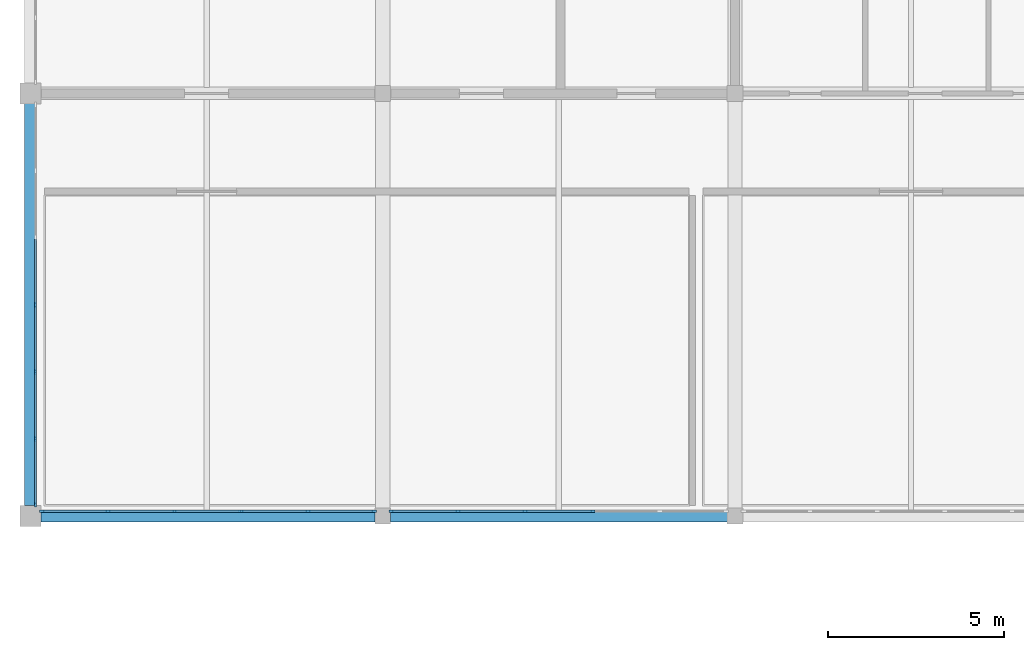
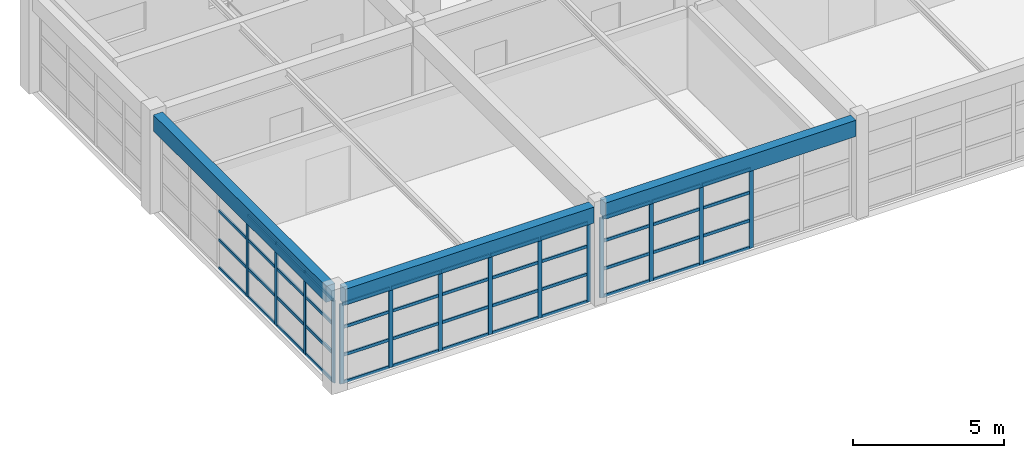
# One storey, part 3 of 16: 61 members, 3 beams, 3 elements without a shape of their own.
"""IFC4 building model written with IfcOpenShell, lengths in metres."""

import ifcopenshell
import ifcopenshell.guid

model = None  # the IFC model being written
_history = None  # IfcOwnerHistory: only IFC2X3 demands one
_inside = {}  # id of a spatial element -> (the spatial element, [elements in it])
_under = {}  # id of a project, library or spatial element -> (it, [spatial elements below it])
_declared = {}  # id of a project -> (the project, [libraries it declares])
_typed = {}  # id of a type object -> (the type object, [elements of that type])
_made_of = {}  # id of a material, layer set ... -> (it, [elements and type objects made of it])


def new_model(schema):
    """Start an empty IFC model of exactly this schema.

    Asked for "IFC4X3", IfcOpenShell would pick the latest addendum, in which some entities
    have other attributes; the version numbers below select the first issue.
    IFC2X3 requires an IfcOwnerHistory on every rooted entity: one is made here for all.
    """
    global model, _history
    if schema == "IFC4X3":
        model = ifcopenshell.file(schema_version=(4, 3, 0, 0))
    else:
        model = ifcopenshell.file(schema=schema)
    _inside.clear()
    _under.clear()
    _declared.clear()
    _typed.clear()
    _made_of.clear()
    _history = None
    if model.schema == "IFC2X3":
        org = make("IfcOrganization", Name="unknown")
        user = make(
            "IfcPersonAndOrganization",
            ThePerson=make("IfcPerson", FamilyName="unknown"),
            TheOrganization=org,
        )
        app = make(
            "IfcApplication",
            ApplicationDeveloper=org,
            Version="unknown",
            ApplicationFullName="unknown",
            ApplicationIdentifier="unknown",
        )
        _history = make(
            "IfcOwnerHistory",
            OwningUser=user,
            OwningApplication=app,
            ChangeAction="ADDED",
            CreationDate=0,
        )
    return model


def make(cls, **values):
    """One entity of the class cls with the attributes given. An attribute that is None is left unset."""
    return model.create_entity(
        cls, **{name: value for name, value in values.items() if value is not None}
    )


def rooted(cls, **values):
    """An entity with a GlobalId (a new one), such as an element, a storey or a relation."""
    return make(cls, GlobalId=ifcopenshell.guid.new(), OwnerHistory=_history, **values)


def si_unit(unit_type, name, prefix=None):
    """IfcSIUnit, for example si_unit("LENGTHUNIT", "METRE", prefix="MILLI")."""
    return make("IfcSIUnit", UnitType=unit_type, Prefix=prefix, Name=name)


def assignment(units):
    """IfcUnitAssignment: the units of a project."""
    return None if units is None else make("IfcUnitAssignment", Units=units)


def point(xyz):
    """IfcCartesianPoint."""
    return None if xyz is None else make("IfcCartesianPoint", Coordinates=xyz)


def direction(xyz):
    """IfcDirection."""
    return None if xyz is None else make("IfcDirection", DirectionRatios=xyz)


def frame(location, z_axis=None, x_axis=None):
    """IfcAxis2Placement3D, a coordinate frame: its origin and axes. An axis left out is left unset."""
    return make(
        "IfcAxis2Placement3D",
        Location=point(location),
        Axis=direction(z_axis),
        RefDirection=direction(x_axis),
    )


def frame_2d(location, x_axis=None):
    """IfcAxis2Placement2D, a coordinate frame in the plane: its origin and x axis."""
    return make(
        "IfcAxis2Placement2D", Location=point(location), RefDirection=direction(x_axis)
    )


def origin():
    """The frame at (0, 0, 0) with its axes left unset."""
    return frame((0.0, 0.0, 0.0))


def origin_2d():
    """The frame at (0, 0) in the plane with its x axis left unset."""
    return frame_2d((0.0, 0.0))


def place(relative_to, where):
    """IfcLocalPlacement: puts the frame where relative to a parent placement (None: the world)."""
    return make(
        "IfcLocalPlacement", PlacementRelTo=relative_to, RelativePlacement=where
    )


def context(
    kind, dimensions, precision=None, world=None, true_north=None, identifier=None
):
    """IfcGeometricRepresentationContext, for example the 3D "Model" context."""
    return make(
        "IfcGeometricRepresentationContext",
        ContextIdentifier=identifier,
        ContextType=kind,
        CoordinateSpaceDimension=dimensions,
        Precision=precision,
        WorldCoordinateSystem=world,
        TrueNorth=true_north,
    )


def subcontext(parent, identifier, kind, view, scale=None):
    """IfcGeometricRepresentationSubContext, for example "Body" below "Model"."""
    return make(
        "IfcGeometricRepresentationSubContext",
        ContextIdentifier=identifier,
        ContextType=kind,
        ParentContext=parent,
        TargetScale=scale,
        TargetView=view,
    )


def project(units=None, contexts=None):
    """IfcProject with its units and contexts."""
    return rooted(
        "IfcProject",
        Name="project",
        RepresentationContexts=contexts,
        UnitsInContext=assignment(units),
    )


def spatial(cls, under=None, at=None, **own):
    """A site, building, storey or space (cls), placed at a placement, below another one or the project."""
    s = rooted(cls, ObjectPlacement=at, **own)
    if under is not None:
        _under.setdefault(under.id(), (under, []))[1].append(s)
    return s


def profile(cls, at=None, kind="AREA", **sizes):
    """A parametric profile (cls). Its sizes go by their IFC names, for example OverallWidth=200.0."""
    return make(cls, ProfileType=kind, Position=at, **sizes)


def rectangle(**sizes):
    """IfcRectangleProfileDef."""
    return profile("IfcRectangleProfileDef", **sizes)


def extrude(swept, where, along, depth):
    """IfcExtrudedAreaSolid: the profile swept, set in the frame where, extruded along a direction by depth."""
    return make(
        "IfcExtrudedAreaSolid",
        SweptArea=swept,
        Position=where,
        ExtrudedDirection=direction(along),
        Depth=depth,
    )


def shape(context_of_items, identifier, shape_type, items):
    """IfcShapeRepresentation: the items that make up one representation, for example the "Body"."""
    return make(
        "IfcShapeRepresentation",
        ContextOfItems=context_of_items,
        RepresentationIdentifier=identifier,
        RepresentationType=shape_type,
        Items=items,
    )


def material(Name=None, Category=None):
    """IfcMaterial."""
    return make("IfcMaterial", Name=Name, Category=Category)


def layer(
    of_material, thickness, ventilated=None, Name=None, Category=None, Priority=None
):
    """IfcMaterialLayer: one layer of a wall or slab, of a material (None: an air gap)."""
    return make(
        "IfcMaterialLayer",
        Material=of_material,
        LayerThickness=thickness,
        IsVentilated=ventilated,
        Name=Name,
        Category=Category,
        Priority=Priority,
    )


def layer_set(layers, Name=None):
    """IfcMaterialLayerSet."""
    return make("IfcMaterialLayerSet", MaterialLayers=layers, LayerSetName=Name)


def material_profile(
    of_material, cross_section, Name=None, Category=None, Priority=None
):
    """IfcMaterialProfile: a cross section and its material."""
    return make(
        "IfcMaterialProfile",
        Name=Name,
        Material=of_material,
        Profile=cross_section,
        Priority=Priority,
        Category=Category,
    )


def profile_set(profiles, Name=None, composite=None):
    """IfcMaterialProfileSet."""
    return make(
        "IfcMaterialProfileSet",
        Name=Name,
        MaterialProfiles=profiles,
        CompositeProfile=composite,
    )


def made_of(thing, what):
    """Note that an element or type object is made of a material, layer set ...; save() writes the relation."""
    if what is not None:
        _made_of.setdefault(what.id(), (what, []))[1].append(thing)
    return thing


def type_object(cls, material=None, **own):
    """A type object (cls), such as IfcWallType, which elements share."""
    return made_of(rooted(cls, **own), material)


def element(
    cls,
    number,
    at=None,
    inside=None,
    cuts=None,
    type_object=None,
    material=None,
    context=None,
    identifier="Body",
    shape_type=None,
    held_by="IfcProductDefinitionShape",
    body=None,
    shapes=None,
    **own,
):
    """One element of the class cls, such as IfcWall. Its Tag is "e" and its number.

    at: its placement. inside: the storey or other place that contains it. cuts: it is an
    opening in that element (IfcRelVoidsElement). A single representation is given by context,
    identifier, shape_type and body (its items); several are given by shapes. held_by: the class
    of the entity that holds the representations. save() writes the other relations.
    """
    e = rooted(cls, Tag="e%d" % number, ObjectPlacement=at, **own)
    if body is not None:
        shapes = [shape(context, identifier, shape_type, body)]
    if shapes is not None:
        e.Representation = make(held_by, Representations=shapes)
    if inside is not None:
        _inside.setdefault(inside.id(), (inside, []))[1].append(e)
    if cuts is not None:
        rooted(
            "IfcRelVoidsElement", RelatingBuildingElement=cuts, RelatedOpeningElement=e
        )
    if type_object is not None:
        _typed.setdefault(type_object.id(), (type_object, []))[1].append(e)
    return made_of(e, material)


def aggregate(whole, parts):
    """IfcRelAggregates: a whole, such as a stair, and the parts it consists of."""
    return rooted("IfcRelAggregates", RelatingObject=whole, RelatedObjects=parts)


def save(model, path):
    """Write the relations noted so far, then the file.

    IfcRelAggregates (storeys below a building ...), IfcRelContainedInSpatialStructure (elements
    in a storey), IfcRelDefinesByType, IfcRelAssociatesMaterial and IfcRelDeclares: one each for
    every whole, place, type object, material and project.
    """
    for whole, parts in _under.values():
        aggregate(whole, parts)
    for where, things in _inside.values():
        rooted(
            "IfcRelContainedInSpatialStructure",
            RelatedElements=things,
            RelatingStructure=where,
        )
    for kind, things in _typed.values():
        rooted("IfcRelDefinesByType", RelatedObjects=things, RelatingType=kind)
    for what, things in _made_of.values():
        rooted("IfcRelAssociatesMaterial", RelatedObjects=things, RelatingMaterial=what)
    for by, libraries in _declared.values():
        rooted("IfcRelDeclares", RelatingContext=by, RelatedDefinitions=libraries)
    model.write(path)


model = new_model("IFC4")

# Units and contexts
model_context = context("Model", 3, precision=1e-05, world=origin(), true_north=direction((0.0, 1.0)))
body_context = subcontext(model_context, "Body", "Model", "MODEL_VIEW")
ifc_project = project(units=[si_unit("LENGTHUNIT", "METRE"), si_unit("AREAUNIT", "SQUARE_METRE"), si_unit("VOLUMEUNIT", "CUBIC_METRE"), si_unit("PLANEANGLEUNIT", "RADIAN"), si_unit("MASSUNIT", "GRAM", prefix="KILO")], contexts=[model_context])

# Site, building, storey
site_placement = place(None, origin())
site = spatial("IfcSite", under=ifc_project, at=site_placement, CompositionType="ELEMENT")
building_placement = place(site_placement, origin())
building = spatial("IfcBuilding", under=site, at=building_placement, Name="Kivolera Central Railway Station", CompositionType="ELEMENT")
storey_placement = place(building_placement, frame((0.0, 0.0, 27.0)))
storey = spatial("IfcBuildingStorey", under=building, at=storey_placement, Name="L06", CompositionType="ELEMENT", Elevation=27.0)

# Beams
ifc_material_1 = material(Name="Concrete C40/50", Category="concrete")
ifc_material_profile_1 = material_profile(ifc_material_1, rectangle(XDim=0.35009765625, YDim=0.64990234375, at=origin_2d()), Name="RC 350x650")
ifc_profile_set_1 = profile_set([ifc_material_profile_1], Name="Concrete C40/50")
beam_type_1 = type_object("IfcBeamType", Name="BM-RC-350x650", PredefinedType="BEAM", material=ifc_profile_set_1)
beam_1_placement = place(storey_placement, frame((118.2919921875, 114.0, 3.655029296875), z_axis=(1.0, 0.0, 0.0), x_axis=(0.0, 1.0, 0.0)))
element("IfcBeam", 1, at=beam_1_placement, inside=storey, type_object=beam_type_1, Name="L06 Wing X-Beam K:12-13", PredefinedType="BEAM", context=body_context, shape_type="SweptSolid", body=[
    extrude(rectangle(XDim=0.35009765625, YDim=0.64990234375, at=origin_2d()), origin(), (0.0, 0.0, 1.0), 9.490966796875),
])
beam_2_placement = place(storey_placement, frame((128.217041015625, 114.0, 3.655029296875), z_axis=(1.0, 0.0, 0.0), x_axis=(0.0, 1.0, 0.0)))
element("IfcBeam", 2, at=beam_2_placement, inside=storey, type_object=beam_type_1, Name="L06 Wing X-Beam K:13-14", PredefinedType="BEAM", context=body_context, shape_type="SweptSolid", body=[
    extrude(rectangle(XDim=0.35009765625, YDim=0.64990234375, at=origin_2d()), origin(), (0.0, 0.0, 1.0), 9.56591796875),
])
ifc_material_profile_2 = material_profile(ifc_material_1, rectangle(XDim=0.35009765625, YDim=0.64990234375, at=origin_2d()), Name="RC 350x650")
ifc_profile_set_2 = profile_set([ifc_material_profile_2], Name="Concrete C40/50")
beam_type_2 = type_object("IfcBeamType", Name="BM-SPN-RC650", PredefinedType="SPANDREL", material=ifc_profile_set_2)
beam_3_placement = place(storey_placement, frame((118.0, 114.2919921875, 3.655029296875), z_axis=(0.0, 1.0, 0.0), x_axis=(-1.0, 0.0, 0.0)))
element("IfcBeam", 3, at=beam_3_placement, inside=storey, type_object=beam_type_2, Name="L06 Wing Y-Beam 12:K-L", PredefinedType="SPANDREL", context=body_context, shape_type="SweptSolid", body=[
    extrude(rectangle(XDim=0.35009765625, YDim=0.64990234375, at=origin_2d()), origin(), (0.0, 0.0, 1.0), 11.416015625),
])

# Curtain wall, members
ifc_material_2 = material(Name="Anodised aluminium", Category="aluminium")
ifc_layer_1 = layer(ifc_material_2, 0.179931640625, Name="Anodised aluminium")
ifc_layer_set_1 = layer_set([ifc_layer_1], Name="Anodised aluminium")
curtain_wall_type_1 = type_object("IfcCurtainWallType", Name="CW-SYS-37", PredefinedType="NOTDEFINED", material=ifc_layer_set_1)
curtain_wall_1_placement = place(storey_placement, origin())
curtain_wall_1 = element("IfcCurtainWall", 4, at=curtain_wall_1_placement, inside=storey, type_object=curtain_wall_type_1, Name="L06 Curtain Wall CW-L06-SOUTH-1", PredefinedType="NOTDEFINED")
ifc_material_profile_3 = material_profile(ifc_material_2, rectangle(XDim=0.06005859375, YDim=0.14990234375, at=origin_2d()), Name="ALU MULL 60x150")
ifc_profile_set_3 = profile_set([ifc_material_profile_3], Name="Anodised aluminium")
member_type_1 = type_object("IfcMemberType", Name="CWM-MUL-2", PredefinedType="MULLION", material=ifc_profile_set_3)
member_1_placement = place(storey_placement, frame((127.75, 114.135009765625, -0.0048828125), z_axis=(0.0, 0.0, 1.0), x_axis=(0.0, -1.0, 0.0)))
member_1 = element("IfcMember", 5, at=member_1_placement, type_object=member_type_1, Name="CW-37 mullion 1", PredefinedType="MULLION", context=body_context, shape_type="SweptSolid", body=[
    extrude(rectangle(XDim=0.06005859375, YDim=0.14990234375, at=origin_2d()), origin(), (0.0, 0.0, 1.0), 3.222900390625),
])
member_2_placement = place(storey_placement, frame((125.883056640625, 114.135009765625, -0.0048828125), z_axis=(0.0, 0.0, 1.0), x_axis=(0.0, -1.0, 0.0)))
member_2 = element("IfcMember", 6, at=member_2_placement, type_object=member_type_1, Name="CW-37 mullion 2", PredefinedType="MULLION", context=body_context, shape_type="SweptSolid", body=[
    extrude(rectangle(XDim=0.06005859375, YDim=0.14990234375, at=origin_2d()), origin(), (0.0, 0.0, 1.0), 3.222900390625),
])
member_3_placement = place(storey_placement, frame((123.986083984375, 114.135009765625, -0.0048828125), z_axis=(0.0, 0.0, 1.0), x_axis=(0.0, -1.0, 0.0)))
member_3 = element("IfcMember", 7, at=member_3_placement, type_object=member_type_1, Name="CW-37 mullion 3", PredefinedType="MULLION", context=body_context, shape_type="SweptSolid", body=[
    extrude(rectangle(XDim=0.06005859375, YDim=0.14990234375, at=origin_2d()), origin(), (0.0, 0.0, 1.0), 3.222900390625),
])
member_4_placement = place(storey_placement, frame((122.089111328125, 114.135009765625, -0.0048828125), z_axis=(0.0, 0.0, 1.0), x_axis=(0.0, -1.0, 0.0)))
member_4 = element("IfcMember", 8, at=member_4_placement, type_object=member_type_1, Name="CW-37 mullion 4", PredefinedType="MULLION", context=body_context, shape_type="SweptSolid", body=[
    extrude(rectangle(XDim=0.06005859375, YDim=0.14990234375, at=origin_2d()), origin(), (0.0, 0.0, 1.0), 3.222900390625),
])
member_5_placement = place(storey_placement, frame((120.19189453125, 114.135009765625, -0.0048828125), z_axis=(0.0, 0.0, 1.0), x_axis=(0.0, -1.0, 0.0)))
member_5 = element("IfcMember", 9, at=member_5_placement, type_object=member_type_1, Name="CW-37 mullion 5", PredefinedType="MULLION", context=body_context, shape_type="SweptSolid", body=[
    extrude(rectangle(XDim=0.06005859375, YDim=0.14990234375, at=origin_2d()), origin(), (0.0, 0.0, 1.0), 3.222900390625),
])
member_6_placement = place(storey_placement, frame((118.324951171875, 114.135009765625, -0.0048828125), z_axis=(0.0, 0.0, 1.0), x_axis=(0.0, -1.0, 0.0)))
member_6 = element("IfcMember", 10, at=member_6_placement, type_object=member_type_1, Name="CW-37 mullion 6", PredefinedType="MULLION", context=body_context, shape_type="SweptSolid", body=[
    extrude(rectangle(XDim=0.06005859375, YDim=0.14990234375, at=origin_2d()), origin(), (0.0, 0.0, 1.0), 3.222900390625),
])

ifc_layer_2 = layer(ifc_material_2, 0.179931640625, Name="Anodised aluminium")
ifc_layer_set_2 = layer_set([ifc_layer_2], Name="Anodised aluminium")
curtain_wall_type_2 = type_object("IfcCurtainWallType", Name="CW-SYS-34", PredefinedType="NOTDEFINED", material=ifc_layer_set_2)
curtain_wall_2_placement = place(storey_placement, origin())
curtain_wall_2 = element("IfcCurtainWall", 11, at=curtain_wall_2_placement, inside=storey, type_object=curtain_wall_type_2, Name="L06 Curtain Wall CW-L06-SOUTH-2", PredefinedType="NOTDEFINED")
member_7_placement = place(storey_placement, frame((133.9560546875, 114.135009765625, -0.0048828125), z_axis=(0.0, 0.0, 1.0), x_axis=(0.0, -1.0, 0.0)))
member_7 = element("IfcMember", 12, at=member_7_placement, type_object=member_type_1, Name="CW-34 mullion 3", PredefinedType="MULLION", context=body_context, shape_type="SweptSolid", body=[
    extrude(rectangle(XDim=0.06005859375, YDim=0.14990234375, at=origin_2d()), origin(), (0.0, 0.0, 1.0), 3.222900390625),
])
member_8_placement = place(storey_placement, frame((132.0439453125, 114.135009765625, -0.0048828125), z_axis=(0.0, 0.0, 1.0), x_axis=(0.0, -1.0, 0.0)))
member_8 = element("IfcMember", 13, at=member_8_placement, type_object=member_type_1, Name="CW-34 mullion 4", PredefinedType="MULLION", context=body_context, shape_type="SweptSolid", body=[
    extrude(rectangle(XDim=0.06005859375, YDim=0.14990234375, at=origin_2d()), origin(), (0.0, 0.0, 1.0), 3.222900390625),
])
member_9_placement = place(storey_placement, frame((130.132080078125, 114.135009765625, -0.0048828125), z_axis=(0.0, 0.0, 1.0), x_axis=(0.0, -1.0, 0.0)))
member_9 = element("IfcMember", 14, at=member_9_placement, type_object=member_type_1, Name="CW-34 mullion 5", PredefinedType="MULLION", context=body_context, shape_type="SweptSolid", body=[
    extrude(rectangle(XDim=0.06005859375, YDim=0.14990234375, at=origin_2d()), origin(), (0.0, 0.0, 1.0), 3.222900390625),
])
member_10_placement = place(storey_placement, frame((128.25, 114.135009765625, -0.0048828125), z_axis=(0.0, 0.0, 1.0), x_axis=(0.0, -1.0, 0.0)))
member_10 = element("IfcMember", 15, at=member_10_placement, type_object=member_type_1, Name="CW-34 mullion 6", PredefinedType="MULLION", context=body_context, shape_type="SweptSolid", body=[
    extrude(rectangle(XDim=0.06005859375, YDim=0.14990234375, at=origin_2d()), origin(), (0.0, 0.0, 1.0), 3.222900390625),
])

ifc_layer_3 = layer(ifc_material_2, 0.179931640625, Name="Anodised aluminium")
ifc_layer_set_3 = layer_set([ifc_layer_3], Name="Anodised aluminium")
curtain_wall_type_3 = type_object("IfcCurtainWallType", Name="CW-SYS-33", PredefinedType="NOTDEFINED", material=ifc_layer_set_3)
curtain_wall_3_placement = place(storey_placement, origin())
curtain_wall_3 = element("IfcCurtainWall", 16, at=curtain_wall_3_placement, inside=storey, type_object=curtain_wall_type_3, Name="L06 Curtain Wall CW-L06-WEST-K", PredefinedType="NOTDEFINED")
member_11_placement = place(storey_placement, frame((118.135009765625, 114.324951171875, -0.0048828125), z_axis=(0.0, 0.0, 1.0), x_axis=(-1.0, 0.0, 0.0)))
member_11 = element("IfcMember", 17, at=member_11_placement, type_object=member_type_1, Name="CW-33 mullion 1", PredefinedType="MULLION", context=body_context, shape_type="SweptSolid", body=[
    extrude(rectangle(XDim=0.06005859375, YDim=0.14990234375, at=origin_2d()), origin(), (0.0, 0.0, 1.0), 3.322998046875),
])
member_12_placement = place(storey_placement, frame((118.135009765625, 116.19677734375, -0.0048828125), z_axis=(0.0, 0.0, 1.0), x_axis=(-1.0, 0.0, 0.0)))
member_12 = element("IfcMember", 18, at=member_12_placement, type_object=member_type_1, Name="CW-33 mullion 2", PredefinedType="MULLION", context=body_context, shape_type="SweptSolid", body=[
    extrude(rectangle(XDim=0.06005859375, YDim=0.14990234375, at=origin_2d()), origin(), (0.0, 0.0, 1.0), 3.322998046875),
])
member_13_placement = place(storey_placement, frame((118.135009765625, 118.098388671875, -0.0048828125), z_axis=(0.0, 0.0, 1.0), x_axis=(-1.0, 0.0, 0.0)))
member_13 = element("IfcMember", 19, at=member_13_placement, type_object=member_type_1, Name="CW-33 mullion 3", PredefinedType="MULLION", context=body_context, shape_type="SweptSolid", body=[
    extrude(rectangle(XDim=0.06005859375, YDim=0.14990234375, at=origin_2d()), origin(), (0.0, 0.0, 1.0), 3.322998046875),
])
member_14_placement = place(storey_placement, frame((118.135009765625, 120.0, -0.0048828125), z_axis=(0.0, 0.0, 1.0), x_axis=(-1.0, 0.0, 0.0)))
member_14 = element("IfcMember", 20, at=member_14_placement, type_object=member_type_1, Name="CW-33 mullion 4", PredefinedType="MULLION", context=body_context, shape_type="SweptSolid", body=[
    extrude(rectangle(XDim=0.06005859375, YDim=0.14990234375, at=origin_2d()), origin(), (0.0, 0.0, 1.0), 3.322998046875),
])

# Member
ifc_material_profile_4 = material_profile(ifc_material_2, rectangle(XDim=0.06005859375, YDim=0.1201171875, at=origin_2d()), Name="ALU TRAN 60x120")
ifc_profile_set_4 = profile_set([ifc_material_profile_4], Name="Anodised aluminium")
member_type_2 = type_object("IfcMemberType", Name="CWM-TRN-2", PredefinedType="USERDEFINED", material=ifc_profile_set_4)
member_15_placement = place(storey_placement, frame((127.719970703125, 114.135009765625, 0.030029296875), z_axis=(-1.0, 0.0, 0.0), x_axis=(0.0, -1.0, 0.0)))
member_15 = element("IfcMember", 21, at=member_15_placement, type_object=member_type_2, Name="CW-37 transom 1.1", ObjectType="TRANSOM", PredefinedType="USERDEFINED", context=body_context, shape_type="SweptSolid", body=[
    extrude(rectangle(XDim=0.06005859375, YDim=0.1201171875, at=origin_2d()), origin(), (0.0, 0.0, 1.0), 1.806884765625),
])

member_16_placement = place(storey_placement, frame((127.719970703125, 114.135009765625, 1.126220703125), z_axis=(-1.0, 0.0, 0.0), x_axis=(0.0, -1.0, 0.0)))
member_16 = element("IfcMember", 22, at=member_16_placement, type_object=member_type_2, Name="CW-37 transom 1.2", ObjectType="TRANSOM", PredefinedType="USERDEFINED", context=body_context, shape_type="SweptSolid", body=[
    extrude(rectangle(XDim=0.06005859375, YDim=0.1201171875, at=origin_2d()), origin(), (0.0, 0.0, 1.0), 1.806884765625),
])

member_17_placement = place(storey_placement, frame((127.719970703125, 114.135009765625, 2.252685546875), z_axis=(-1.0, 0.0, 0.0), x_axis=(0.0, -1.0, 0.0)))
member_17 = element("IfcMember", 23, at=member_17_placement, type_object=member_type_2, Name="CW-37 transom 1.3", ObjectType="TRANSOM", PredefinedType="USERDEFINED", context=body_context, shape_type="SweptSolid", body=[
    extrude(rectangle(XDim=0.06005859375, YDim=0.1201171875, at=origin_2d()), origin(), (0.0, 0.0, 1.0), 1.806884765625),
])

member_18_placement = place(storey_placement, frame((127.719970703125, 114.135009765625, 3.18798828125), z_axis=(-1.0, 0.0, 0.0), x_axis=(0.0, -1.0, 0.0)))
member_18 = element("IfcMember", 24, at=member_18_placement, type_object=member_type_2, Name="CW-37 transom 1.4", ObjectType="TRANSOM", PredefinedType="USERDEFINED", context=body_context, shape_type="SweptSolid", body=[
    extrude(rectangle(XDim=0.06005859375, YDim=0.1201171875, at=origin_2d()), origin(), (0.0, 0.0, 1.0), 1.806884765625),
])

member_19_placement = place(storey_placement, frame((125.85302734375, 114.135009765625, 0.030029296875), z_axis=(-1.0, 0.0, 0.0), x_axis=(0.0, -1.0, 0.0)))
member_19 = element("IfcMember", 25, at=member_19_placement, type_object=member_type_2, Name="CW-37 transom 2.1", ObjectType="TRANSOM", PredefinedType="USERDEFINED", context=body_context, shape_type="SweptSolid", body=[
    extrude(rectangle(XDim=0.06005859375, YDim=0.1201171875, at=origin_2d()), origin(), (0.0, 0.0, 1.0), 1.8369140625),
])

member_20_placement = place(storey_placement, frame((125.85302734375, 114.135009765625, 1.126220703125), z_axis=(-1.0, 0.0, 0.0), x_axis=(0.0, -1.0, 0.0)))
member_20 = element("IfcMember", 26, at=member_20_placement, type_object=member_type_2, Name="CW-37 transom 2.2", ObjectType="TRANSOM", PredefinedType="USERDEFINED", context=body_context, shape_type="SweptSolid", body=[
    extrude(rectangle(XDim=0.06005859375, YDim=0.1201171875, at=origin_2d()), origin(), (0.0, 0.0, 1.0), 1.8369140625),
])

member_21_placement = place(storey_placement, frame((125.85302734375, 114.135009765625, 2.252685546875), z_axis=(-1.0, 0.0, 0.0), x_axis=(0.0, -1.0, 0.0)))
member_21 = element("IfcMember", 27, at=member_21_placement, type_object=member_type_2, Name="CW-37 transom 2.3", ObjectType="TRANSOM", PredefinedType="USERDEFINED", context=body_context, shape_type="SweptSolid", body=[
    extrude(rectangle(XDim=0.06005859375, YDim=0.1201171875, at=origin_2d()), origin(), (0.0, 0.0, 1.0), 1.8369140625),
])

member_22_placement = place(storey_placement, frame((125.85302734375, 114.135009765625, 3.18798828125), z_axis=(-1.0, 0.0, 0.0), x_axis=(0.0, -1.0, 0.0)))
member_22 = element("IfcMember", 28, at=member_22_placement, type_object=member_type_2, Name="CW-37 transom 2.4", ObjectType="TRANSOM", PredefinedType="USERDEFINED", context=body_context, shape_type="SweptSolid", body=[
    extrude(rectangle(XDim=0.06005859375, YDim=0.1201171875, at=origin_2d()), origin(), (0.0, 0.0, 1.0), 1.8369140625),
])

member_23_placement = place(storey_placement, frame((123.9560546875, 114.135009765625, 0.030029296875), z_axis=(-1.0, 0.0, 0.0), x_axis=(0.0, -1.0, 0.0)))
member_23 = element("IfcMember", 29, at=member_23_placement, type_object=member_type_2, Name="CW-37 transom 3.1", ObjectType="TRANSOM", PredefinedType="USERDEFINED", context=body_context, shape_type="SweptSolid", body=[
    extrude(rectangle(XDim=0.06005859375, YDim=0.1201171875, at=origin_2d()), origin(), (0.0, 0.0, 1.0), 1.837158203125),
])

member_24_placement = place(storey_placement, frame((123.9560546875, 114.135009765625, 1.126220703125), z_axis=(-1.0, 0.0, 0.0), x_axis=(0.0, -1.0, 0.0)))
member_24 = element("IfcMember", 30, at=member_24_placement, type_object=member_type_2, Name="CW-37 transom 3.2", ObjectType="TRANSOM", PredefinedType="USERDEFINED", context=body_context, shape_type="SweptSolid", body=[
    extrude(rectangle(XDim=0.06005859375, YDim=0.1201171875, at=origin_2d()), origin(), (0.0, 0.0, 1.0), 1.837158203125),
])

member_25_placement = place(storey_placement, frame((123.9560546875, 114.135009765625, 2.252685546875), z_axis=(-1.0, 0.0, 0.0), x_axis=(0.0, -1.0, 0.0)))
member_25 = element("IfcMember", 31, at=member_25_placement, type_object=member_type_2, Name="CW-37 transom 3.3", ObjectType="TRANSOM", PredefinedType="USERDEFINED", context=body_context, shape_type="SweptSolid", body=[
    extrude(rectangle(XDim=0.06005859375, YDim=0.1201171875, at=origin_2d()), origin(), (0.0, 0.0, 1.0), 1.837158203125),
])

member_26_placement = place(storey_placement, frame((123.9560546875, 114.135009765625, 3.18798828125), z_axis=(-1.0, 0.0, 0.0), x_axis=(0.0, -1.0, 0.0)))
member_26 = element("IfcMember", 32, at=member_26_placement, type_object=member_type_2, Name="CW-37 transom 3.4", ObjectType="TRANSOM", PredefinedType="USERDEFINED", context=body_context, shape_type="SweptSolid", body=[
    extrude(rectangle(XDim=0.06005859375, YDim=0.1201171875, at=origin_2d()), origin(), (0.0, 0.0, 1.0), 1.837158203125),
])

member_27_placement = place(storey_placement, frame((122.05908203125, 114.135009765625, 0.030029296875), z_axis=(-1.0, 0.0, 0.0), x_axis=(0.0, -1.0, 0.0)))
member_27 = element("IfcMember", 33, at=member_27_placement, type_object=member_type_2, Name="CW-37 transom 4.1", ObjectType="TRANSOM", PredefinedType="USERDEFINED", context=body_context, shape_type="SweptSolid", body=[
    extrude(rectangle(XDim=0.06005859375, YDim=0.1201171875, at=origin_2d()), origin(), (0.0, 0.0, 1.0), 1.837158203125),
])

member_28_placement = place(storey_placement, frame((122.05908203125, 114.135009765625, 1.126220703125), z_axis=(-1.0, 0.0, 0.0), x_axis=(0.0, -1.0, 0.0)))
member_28 = element("IfcMember", 34, at=member_28_placement, type_object=member_type_2, Name="CW-37 transom 4.2", ObjectType="TRANSOM", PredefinedType="USERDEFINED", context=body_context, shape_type="SweptSolid", body=[
    extrude(rectangle(XDim=0.06005859375, YDim=0.1201171875, at=origin_2d()), origin(), (0.0, 0.0, 1.0), 1.837158203125),
])

member_29_placement = place(storey_placement, frame((122.05908203125, 114.135009765625, 2.252685546875), z_axis=(-1.0, 0.0, 0.0), x_axis=(0.0, -1.0, 0.0)))
member_29 = element("IfcMember", 35, at=member_29_placement, type_object=member_type_2, Name="CW-37 transom 4.3", ObjectType="TRANSOM", PredefinedType="USERDEFINED", context=body_context, shape_type="SweptSolid", body=[
    extrude(rectangle(XDim=0.06005859375, YDim=0.1201171875, at=origin_2d()), origin(), (0.0, 0.0, 1.0), 1.837158203125),
])

member_30_placement = place(storey_placement, frame((122.05908203125, 114.135009765625, 3.18798828125), z_axis=(-1.0, 0.0, 0.0), x_axis=(0.0, -1.0, 0.0)))
member_30 = element("IfcMember", 36, at=member_30_placement, type_object=member_type_2, Name="CW-37 transom 4.4", ObjectType="TRANSOM", PredefinedType="USERDEFINED", context=body_context, shape_type="SweptSolid", body=[
    extrude(rectangle(XDim=0.06005859375, YDim=0.1201171875, at=origin_2d()), origin(), (0.0, 0.0, 1.0), 1.837158203125),
])

member_31_placement = place(storey_placement, frame((120.162109375, 114.135009765625, 0.030029296875), z_axis=(-1.0, 0.0, 0.0), x_axis=(0.0, -1.0, 0.0)))
member_31 = element("IfcMember", 37, at=member_31_placement, type_object=member_type_2, Name="CW-37 transom 5.1", ObjectType="TRANSOM", PredefinedType="USERDEFINED", context=body_context, shape_type="SweptSolid", body=[
    extrude(rectangle(XDim=0.06005859375, YDim=0.1201171875, at=origin_2d()), origin(), (0.0, 0.0, 1.0), 1.80712890625),
])

member_32_placement = place(storey_placement, frame((120.162109375, 114.135009765625, 1.126220703125), z_axis=(-1.0, 0.0, 0.0), x_axis=(0.0, -1.0, 0.0)))
member_32 = element("IfcMember", 38, at=member_32_placement, type_object=member_type_2, Name="CW-37 transom 5.2", ObjectType="TRANSOM", PredefinedType="USERDEFINED", context=body_context, shape_type="SweptSolid", body=[
    extrude(rectangle(XDim=0.06005859375, YDim=0.1201171875, at=origin_2d()), origin(), (0.0, 0.0, 1.0), 1.80712890625),
])

member_33_placement = place(storey_placement, frame((120.162109375, 114.135009765625, 2.252685546875), z_axis=(-1.0, 0.0, 0.0), x_axis=(0.0, -1.0, 0.0)))
member_33 = element("IfcMember", 39, at=member_33_placement, type_object=member_type_2, Name="CW-37 transom 5.3", ObjectType="TRANSOM", PredefinedType="USERDEFINED", context=body_context, shape_type="SweptSolid", body=[
    extrude(rectangle(XDim=0.06005859375, YDim=0.1201171875, at=origin_2d()), origin(), (0.0, 0.0, 1.0), 1.80712890625),
])

member_34_placement = place(storey_placement, frame((120.162109375, 114.135009765625, 3.18798828125), z_axis=(-1.0, 0.0, 0.0), x_axis=(0.0, -1.0, 0.0)))
member_34 = element("IfcMember", 40, at=member_34_placement, type_object=member_type_2, Name="CW-37 transom 5.4", ObjectType="TRANSOM", PredefinedType="USERDEFINED", context=body_context, shape_type="SweptSolid", body=[
    extrude(rectangle(XDim=0.06005859375, YDim=0.1201171875, at=origin_2d()), origin(), (0.0, 0.0, 1.0), 1.80712890625),
])

aggregate(curtain_wall_1, [member_1, member_2, member_3, member_4, member_5, member_6, member_15, member_16, member_17, member_18, member_19, member_20, member_21, member_22, member_23, member_24, member_25, member_26, member_27, member_28, member_29, member_30, member_31, member_32, member_33, member_34])

member_35_placement = place(storey_placement, frame((133.926025390625, 114.135009765625, 0.030029296875), z_axis=(-1.0, 0.0, 0.0), x_axis=(0.0, -1.0, 0.0)))
member_35 = element("IfcMember", 41, at=member_35_placement, type_object=member_type_2, Name="CW-34 transom 3.1", ObjectType="TRANSOM", PredefinedType="USERDEFINED", context=body_context, shape_type="SweptSolid", body=[
    extrude(rectangle(XDim=0.06005859375, YDim=0.1201171875, at=origin_2d()), origin(), (0.0, 0.0, 1.0), 1.85205078125),
])

member_36_placement = place(storey_placement, frame((133.926025390625, 114.135009765625, 1.126220703125), z_axis=(-1.0, 0.0, 0.0), x_axis=(0.0, -1.0, 0.0)))
member_36 = element("IfcMember", 42, at=member_36_placement, type_object=member_type_2, Name="CW-34 transom 3.2", ObjectType="TRANSOM", PredefinedType="USERDEFINED", context=body_context, shape_type="SweptSolid", body=[
    extrude(rectangle(XDim=0.06005859375, YDim=0.1201171875, at=origin_2d()), origin(), (0.0, 0.0, 1.0), 1.85205078125),
])

member_37_placement = place(storey_placement, frame((133.926025390625, 114.135009765625, 2.252685546875), z_axis=(-1.0, 0.0, 0.0), x_axis=(0.0, -1.0, 0.0)))
member_37 = element("IfcMember", 43, at=member_37_placement, type_object=member_type_2, Name="CW-34 transom 3.3", ObjectType="TRANSOM", PredefinedType="USERDEFINED", context=body_context, shape_type="SweptSolid", body=[
    extrude(rectangle(XDim=0.06005859375, YDim=0.1201171875, at=origin_2d()), origin(), (0.0, 0.0, 1.0), 1.85205078125),
])

member_38_placement = place(storey_placement, frame((133.926025390625, 114.135009765625, 3.18798828125), z_axis=(-1.0, 0.0, 0.0), x_axis=(0.0, -1.0, 0.0)))
member_38 = element("IfcMember", 44, at=member_38_placement, type_object=member_type_2, Name="CW-34 transom 3.4", ObjectType="TRANSOM", PredefinedType="USERDEFINED", context=body_context, shape_type="SweptSolid", body=[
    extrude(rectangle(XDim=0.06005859375, YDim=0.1201171875, at=origin_2d()), origin(), (0.0, 0.0, 1.0), 1.85205078125),
])

member_39_placement = place(storey_placement, frame((132.013916015625, 114.135009765625, 0.030029296875), z_axis=(-1.0, 0.0, 0.0), x_axis=(0.0, -1.0, 0.0)))
member_39 = element("IfcMember", 45, at=member_39_placement, type_object=member_type_2, Name="CW-34 transom 4.1", ObjectType="TRANSOM", PredefinedType="USERDEFINED", context=body_context, shape_type="SweptSolid", body=[
    extrude(rectangle(XDim=0.06005859375, YDim=0.1201171875, at=origin_2d()), origin(), (0.0, 0.0, 1.0), 1.851806640625),
])

member_40_placement = place(storey_placement, frame((132.013916015625, 114.135009765625, 1.126220703125), z_axis=(-1.0, 0.0, 0.0), x_axis=(0.0, -1.0, 0.0)))
member_40 = element("IfcMember", 46, at=member_40_placement, type_object=member_type_2, Name="CW-34 transom 4.2", ObjectType="TRANSOM", PredefinedType="USERDEFINED", context=body_context, shape_type="SweptSolid", body=[
    extrude(rectangle(XDim=0.06005859375, YDim=0.1201171875, at=origin_2d()), origin(), (0.0, 0.0, 1.0), 1.851806640625),
])

member_41_placement = place(storey_placement, frame((132.013916015625, 114.135009765625, 2.252685546875), z_axis=(-1.0, 0.0, 0.0), x_axis=(0.0, -1.0, 0.0)))
member_41 = element("IfcMember", 47, at=member_41_placement, type_object=member_type_2, Name="CW-34 transom 4.3", ObjectType="TRANSOM", PredefinedType="USERDEFINED", context=body_context, shape_type="SweptSolid", body=[
    extrude(rectangle(XDim=0.06005859375, YDim=0.1201171875, at=origin_2d()), origin(), (0.0, 0.0, 1.0), 1.851806640625),
])

member_42_placement = place(storey_placement, frame((132.013916015625, 114.135009765625, 3.18798828125), z_axis=(-1.0, 0.0, 0.0), x_axis=(0.0, -1.0, 0.0)))
member_42 = element("IfcMember", 48, at=member_42_placement, type_object=member_type_2, Name="CW-34 transom 4.4", ObjectType="TRANSOM", PredefinedType="USERDEFINED", context=body_context, shape_type="SweptSolid", body=[
    extrude(rectangle(XDim=0.06005859375, YDim=0.1201171875, at=origin_2d()), origin(), (0.0, 0.0, 1.0), 1.851806640625),
])

member_43_placement = place(storey_placement, frame((130.10205078125, 114.135009765625, 0.030029296875), z_axis=(-1.0, 0.0, 0.0), x_axis=(0.0, -1.0, 0.0)))
member_43 = element("IfcMember", 49, at=member_43_placement, type_object=member_type_2, Name="CW-34 transom 5.1", ObjectType="TRANSOM", PredefinedType="USERDEFINED", context=body_context, shape_type="SweptSolid", body=[
    extrude(rectangle(XDim=0.06005859375, YDim=0.1201171875, at=origin_2d()), origin(), (0.0, 0.0, 1.0), 1.822021484375),
])

member_44_placement = place(storey_placement, frame((130.10205078125, 114.135009765625, 1.126220703125), z_axis=(-1.0, 0.0, 0.0), x_axis=(0.0, -1.0, 0.0)))
member_44 = element("IfcMember", 50, at=member_44_placement, type_object=member_type_2, Name="CW-34 transom 5.2", ObjectType="TRANSOM", PredefinedType="USERDEFINED", context=body_context, shape_type="SweptSolid", body=[
    extrude(rectangle(XDim=0.06005859375, YDim=0.1201171875, at=origin_2d()), origin(), (0.0, 0.0, 1.0), 1.822021484375),
])

member_45_placement = place(storey_placement, frame((130.10205078125, 114.135009765625, 2.252685546875), z_axis=(-1.0, 0.0, 0.0), x_axis=(0.0, -1.0, 0.0)))
member_45 = element("IfcMember", 51, at=member_45_placement, type_object=member_type_2, Name="CW-34 transom 5.3", ObjectType="TRANSOM", PredefinedType="USERDEFINED", context=body_context, shape_type="SweptSolid", body=[
    extrude(rectangle(XDim=0.06005859375, YDim=0.1201171875, at=origin_2d()), origin(), (0.0, 0.0, 1.0), 1.822021484375),
])

member_46_placement = place(storey_placement, frame((130.10205078125, 114.135009765625, 3.18798828125), z_axis=(-1.0, 0.0, 0.0), x_axis=(0.0, -1.0, 0.0)))
member_46 = element("IfcMember", 52, at=member_46_placement, type_object=member_type_2, Name="CW-34 transom 5.4", ObjectType="TRANSOM", PredefinedType="USERDEFINED", context=body_context, shape_type="SweptSolid", body=[
    extrude(rectangle(XDim=0.06005859375, YDim=0.1201171875, at=origin_2d()), origin(), (0.0, 0.0, 1.0), 1.822021484375),
])

aggregate(curtain_wall_2, [member_7, member_8, member_9, member_10, member_35, member_36, member_37, member_38, member_39, member_40, member_41, member_42, member_43, member_44, member_45, member_46])

member_47_placement = place(storey_placement, frame((118.135009765625, 114.35498046875, 0.030029296875), z_axis=(0.0, 1.0, 0.0), x_axis=(-1.0, 0.0, 0.0)))
member_47 = element("IfcMember", 53, at=member_47_placement, type_object=member_type_2, Name="CW-33 transom 1.1", ObjectType="TRANSOM", PredefinedType="USERDEFINED", context=body_context, shape_type="SweptSolid", body=[
    extrude(rectangle(XDim=0.06005859375, YDim=0.1201171875, at=origin_2d()), origin(), (0.0, 0.0, 1.0), 1.811767578125),
])

member_48_placement = place(storey_placement, frame((118.135009765625, 114.35498046875, 1.161376953125), z_axis=(0.0, 1.0, 0.0), x_axis=(-1.0, 0.0, 0.0)))
member_48 = element("IfcMember", 54, at=member_48_placement, type_object=member_type_2, Name="CW-33 transom 1.2", ObjectType="TRANSOM", PredefinedType="USERDEFINED", context=body_context, shape_type="SweptSolid", body=[
    extrude(rectangle(XDim=0.06005859375, YDim=0.1201171875, at=origin_2d()), origin(), (0.0, 0.0, 1.0), 1.811767578125),
])

member_49_placement = place(storey_placement, frame((118.135009765625, 114.35498046875, 2.322509765625), z_axis=(0.0, 1.0, 0.0), x_axis=(-1.0, 0.0, 0.0)))
member_49 = element("IfcMember", 55, at=member_49_placement, type_object=member_type_2, Name="CW-33 transom 1.3", ObjectType="TRANSOM", PredefinedType="USERDEFINED", context=body_context, shape_type="SweptSolid", body=[
    extrude(rectangle(XDim=0.06005859375, YDim=0.1201171875, at=origin_2d()), origin(), (0.0, 0.0, 1.0), 1.811767578125),
])

member_50_placement = place(storey_placement, frame((118.135009765625, 114.35498046875, 3.2880859375), z_axis=(0.0, 1.0, 0.0), x_axis=(-1.0, 0.0, 0.0)))
member_50 = element("IfcMember", 56, at=member_50_placement, type_object=member_type_2, Name="CW-33 transom 1.4", ObjectType="TRANSOM", PredefinedType="USERDEFINED", context=body_context, shape_type="SweptSolid", body=[
    extrude(rectangle(XDim=0.06005859375, YDim=0.1201171875, at=origin_2d()), origin(), (0.0, 0.0, 1.0), 1.811767578125),
])

member_51_placement = place(storey_placement, frame((118.135009765625, 116.2265625, 0.030029296875), z_axis=(0.0, 1.0, 0.0), x_axis=(-1.0, 0.0, 0.0)))
member_51 = element("IfcMember", 57, at=member_51_placement, type_object=member_type_2, Name="CW-33 transom 2.1", ObjectType="TRANSOM", PredefinedType="USERDEFINED", context=body_context, shape_type="SweptSolid", body=[
    extrude(rectangle(XDim=0.06005859375, YDim=0.1201171875, at=origin_2d()), origin(), (0.0, 0.0, 1.0), 1.841796875),
])

member_52_placement = place(storey_placement, frame((118.135009765625, 116.2265625, 1.161376953125), z_axis=(0.0, 1.0, 0.0), x_axis=(-1.0, 0.0, 0.0)))
member_52 = element("IfcMember", 58, at=member_52_placement, type_object=member_type_2, Name="CW-33 transom 2.2", ObjectType="TRANSOM", PredefinedType="USERDEFINED", context=body_context, shape_type="SweptSolid", body=[
    extrude(rectangle(XDim=0.06005859375, YDim=0.1201171875, at=origin_2d()), origin(), (0.0, 0.0, 1.0), 1.841796875),
])

member_53_placement = place(storey_placement, frame((118.135009765625, 116.2265625, 2.322509765625), z_axis=(0.0, 1.0, 0.0), x_axis=(-1.0, 0.0, 0.0)))
member_53 = element("IfcMember", 59, at=member_53_placement, type_object=member_type_2, Name="CW-33 transom 2.3", ObjectType="TRANSOM", PredefinedType="USERDEFINED", context=body_context, shape_type="SweptSolid", body=[
    extrude(rectangle(XDim=0.06005859375, YDim=0.1201171875, at=origin_2d()), origin(), (0.0, 0.0, 1.0), 1.841796875),
])

member_54_placement = place(storey_placement, frame((118.135009765625, 116.2265625, 3.2880859375), z_axis=(0.0, 1.0, 0.0), x_axis=(-1.0, 0.0, 0.0)))
member_54 = element("IfcMember", 60, at=member_54_placement, type_object=member_type_2, Name="CW-33 transom 2.4", ObjectType="TRANSOM", PredefinedType="USERDEFINED", context=body_context, shape_type="SweptSolid", body=[
    extrude(rectangle(XDim=0.06005859375, YDim=0.1201171875, at=origin_2d()), origin(), (0.0, 0.0, 1.0), 1.841796875),
])

member_55_placement = place(storey_placement, frame((118.135009765625, 118.12841796875, 0.030029296875), z_axis=(0.0, 1.0, 0.0), x_axis=(-1.0, 0.0, 0.0)))
member_55 = element("IfcMember", 61, at=member_55_placement, type_object=member_type_2, Name="CW-33 transom 3.1", ObjectType="TRANSOM", PredefinedType="USERDEFINED", context=body_context, shape_type="SweptSolid", body=[
    extrude(rectangle(XDim=0.06005859375, YDim=0.1201171875, at=origin_2d()), origin(), (0.0, 0.0, 1.0), 1.841552734375),
])

member_56_placement = place(storey_placement, frame((118.135009765625, 118.12841796875, 1.161376953125), z_axis=(0.0, 1.0, 0.0), x_axis=(-1.0, 0.0, 0.0)))
member_56 = element("IfcMember", 62, at=member_56_placement, type_object=member_type_2, Name="CW-33 transom 3.2", ObjectType="TRANSOM", PredefinedType="USERDEFINED", context=body_context, shape_type="SweptSolid", body=[
    extrude(rectangle(XDim=0.06005859375, YDim=0.1201171875, at=origin_2d()), origin(), (0.0, 0.0, 1.0), 1.841552734375),
])

member_57_placement = place(storey_placement, frame((118.135009765625, 118.12841796875, 2.322509765625), z_axis=(0.0, 1.0, 0.0), x_axis=(-1.0, 0.0, 0.0)))
member_57 = element("IfcMember", 63, at=member_57_placement, type_object=member_type_2, Name="CW-33 transom 3.3", ObjectType="TRANSOM", PredefinedType="USERDEFINED", context=body_context, shape_type="SweptSolid", body=[
    extrude(rectangle(XDim=0.06005859375, YDim=0.1201171875, at=origin_2d()), origin(), (0.0, 0.0, 1.0), 1.841552734375),
])

member_58_placement = place(storey_placement, frame((118.135009765625, 118.12841796875, 3.2880859375), z_axis=(0.0, 1.0, 0.0), x_axis=(-1.0, 0.0, 0.0)))
member_58 = element("IfcMember", 64, at=member_58_placement, type_object=member_type_2, Name="CW-33 transom 3.4", ObjectType="TRANSOM", PredefinedType="USERDEFINED", context=body_context, shape_type="SweptSolid", body=[
    extrude(rectangle(XDim=0.06005859375, YDim=0.1201171875, at=origin_2d()), origin(), (0.0, 0.0, 1.0), 1.841552734375),
])

member_59_placement = place(storey_placement, frame((118.135009765625, 120.030029296875, 0.030029296875), z_axis=(0.0, 1.0, 0.0), x_axis=(-1.0, 0.0, 0.0)))
member_59 = element("IfcMember", 65, at=member_59_placement, type_object=member_type_2, Name="CW-33 transom 4.1", ObjectType="TRANSOM", PredefinedType="USERDEFINED", context=body_context, shape_type="SweptSolid", body=[
    extrude(rectangle(XDim=0.06005859375, YDim=0.1201171875, at=origin_2d()), origin(), (0.0, 0.0, 1.0), 1.841552734375),
])

member_60_placement = place(storey_placement, frame((118.135009765625, 120.030029296875, 1.161376953125), z_axis=(0.0, 1.0, 0.0), x_axis=(-1.0, 0.0, 0.0)))
member_60 = element("IfcMember", 66, at=member_60_placement, type_object=member_type_2, Name="CW-33 transom 4.2", ObjectType="TRANSOM", PredefinedType="USERDEFINED", context=body_context, shape_type="SweptSolid", body=[
    extrude(rectangle(XDim=0.06005859375, YDim=0.1201171875, at=origin_2d()), origin(), (0.0, 0.0, 1.0), 1.841552734375),
])

member_61_placement = place(storey_placement, frame((118.135009765625, 120.030029296875, 2.322509765625), z_axis=(0.0, 1.0, 0.0), x_axis=(-1.0, 0.0, 0.0)))
member_61 = element("IfcMember", 67, at=member_61_placement, type_object=member_type_2, Name="CW-33 transom 4.3", ObjectType="TRANSOM", PredefinedType="USERDEFINED", context=body_context, shape_type="SweptSolid", body=[
    extrude(rectangle(XDim=0.06005859375, YDim=0.1201171875, at=origin_2d()), origin(), (0.0, 0.0, 1.0), 1.841552734375),
])

aggregate(curtain_wall_3, [member_11, member_12, member_13, member_14, member_47, member_48, member_49, member_50, member_51, member_52, member_53, member_54, member_55, member_56, member_57, member_58, member_59, member_60, member_61])

save(model, "model.ifc")
